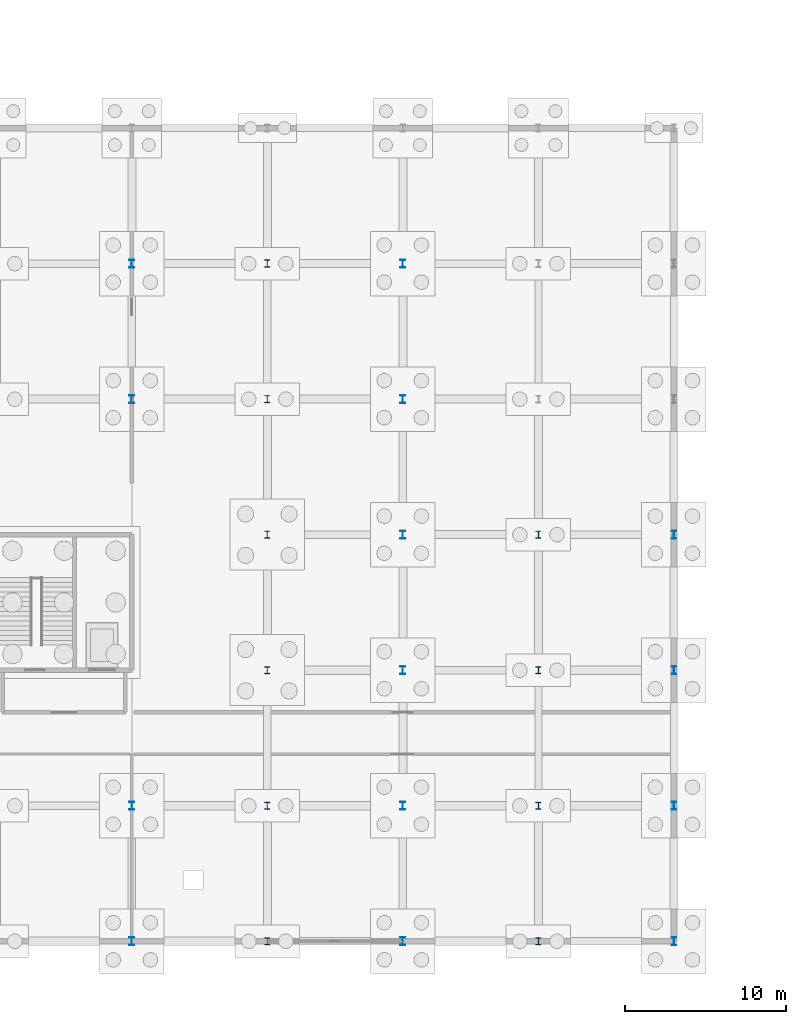
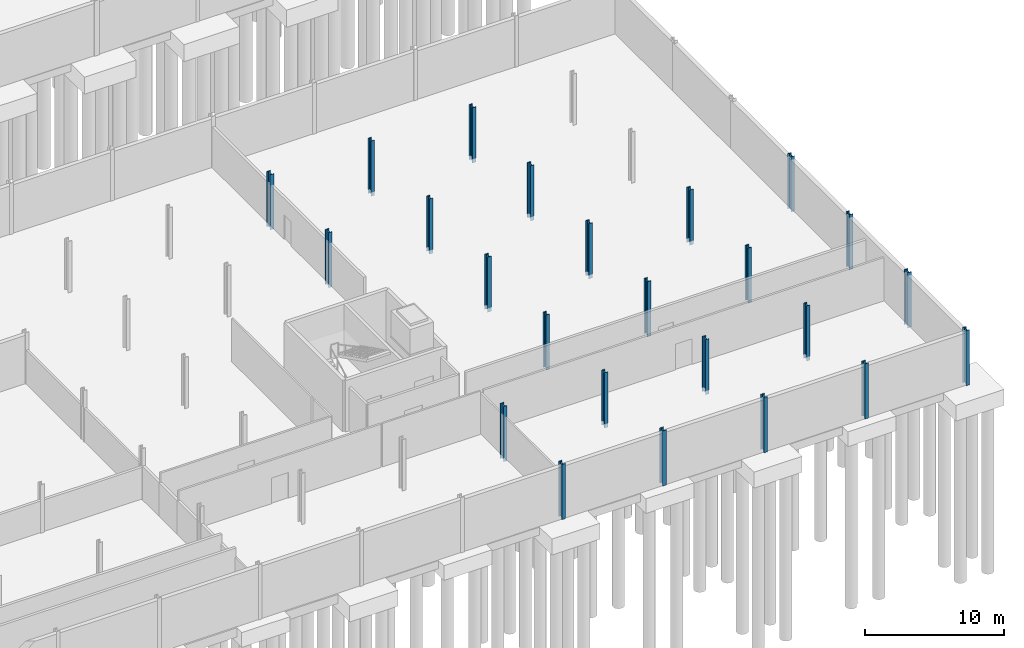
# One storey, part 26 of 51: 24 columns.
"""IFC4 building model written with IfcOpenShell, lengths in metres."""

from ifc_helpers import new_model, si_unit, direction, frame, origin, origin_2d, place, context, subcontext, project, spatial, i_section, extrude, material, material_profile, profile_set, type_object, element, save


model = new_model("IFC4")

# Units and contexts
model_context = context("Model", 3, precision=1e-05, world=origin(), true_north=direction((0.0, 1.0)))
body_context = subcontext(model_context, "Body", "Model", "MODEL_VIEW")
ifc_project = project(units=[si_unit("LENGTHUNIT", "METRE"), si_unit("AREAUNIT", "SQUARE_METRE"), si_unit("VOLUMEUNIT", "CUBIC_METRE"), si_unit("PLANEANGLEUNIT", "RADIAN"), si_unit("MASSUNIT", "GRAM", prefix="KILO")], contexts=[model_context])

# Site, building, storey
site_placement = place(None, origin())
site = spatial("IfcSite", under=ifc_project, at=site_placement, CompositionType="ELEMENT")
building_placement = place(site_placement, origin())
building = spatial("IfcBuilding", under=site, at=building_placement, Name="Qalvenar Corner Mobility Hub", CompositionType="ELEMENT")
storey_placement = place(building_placement, frame((0.0, 0.0, -4.5)))
storey = spatial("IfcBuildingStorey", under=building, at=storey_placement, Name="B1", CompositionType="ELEMENT", Elevation=-4.5)

# Columns
ifc_material = material(Name="Steel S355", Category="steel")
ifc_material_profile_1 = material_profile(ifc_material, i_section(OverallWidth=0.300048828125, OverallDepth=0.449951171875, WebThickness=0.013916015625, FlangeThickness=0.02587890625, FilletRadius=0.027099609375, at=origin_2d()), Name="HEB450")
ifc_profile_set_1 = profile_set([ifc_material_profile_1], Name="Steel S355")
column_type_1 = type_object("IfcColumnType", Name="COL-HEB450", PredefinedType="COLUMN", material=ifc_profile_set_1)
for number, where, z_axis, x_axis, name in (
    (1, (142.800048828125, 0.0, -0.35009765625), (0.0, 0.0, 1.0), (1.0, 0.0, 0.0), "Steel Column B1-G18-0"),
    (2, (142.800048828125, 8.39990234375, -0.35009765625), (0.0, 0.0, 1.0), (1.0, 0.0, 0.0), "Steel Column B1-G18-1"),
    (3, (142.800048828125, 16.800048828125, -0.35009765625), (0.0, 0.0, 1.0), (1.0, 0.0, 0.0), "Steel Column B1-G18-2"),
    (4, (142.800048828125, 25.199951171875, -0.35009765625), (0.0, 0.0, 1.0), (1.0, 0.0, 0.0), "Steel Column B1-G18-3"),
    (5, (142.800048828125, 33.60009765625, -0.35009765625), (0.0, 0.0, 1.0), (1.0, 0.0, 0.0), "Steel Column B1-G18-4"),
    (6, (142.800048828125, 42.0, -0.35009765625), (0.0, 0.0, 1.0), (1.0, 0.0, 0.0), "Steel Column B1-G18-5"),
    (7, (159.60009765625, 0.0, -0.35009765625), (0.0, 0.0, 1.0), (1.0, 0.0, 0.0), "Steel Column B1-G20-0"),
    (8, (159.60009765625, 8.39990234375, -0.35009765625), (0.0, 0.0, 1.0), (1.0, 0.0, 0.0), "Steel Column B1-G20-1"),
    (9, (159.60009765625, 16.800048828125, -0.35009765625), (0.0, 0.0, 1.0), (1.0, 0.0, 0.0), "Steel Column B1-G20-2"),
    (10, (159.60009765625, 25.199951171875, -0.35009765625), (0.0, 0.0, 1.0), (1.0, 0.0, 0.0), "Steel Column B1-G20-3"),
):
    element("IfcColumn", number, at=place(storey_placement, frame(where, z_axis=z_axis, x_axis=x_axis)), inside=storey, type_object=column_type_1, Name=name, PredefinedType="COLUMN", context=body_context, shape_type="SweptSolid", body=[
        extrude(i_section(OverallWidth=0.300048828125, OverallDepth=0.449951171875, WebThickness=0.013916015625, FlangeThickness=0.02587890625, FilletRadius=0.027099609375, at=origin_2d()), origin(), (0.0, 0.0, 1.0), 4.85009765625),
    ])
ifc_material_profile_2 = material_profile(ifc_material, i_section(OverallWidth=0.300048828125, OverallDepth=0.5, WebThickness=0.014404296875, FlangeThickness=0.028076171875, FilletRadius=0.027099609375, at=origin_2d()), Name="HEB500")
ifc_profile_set_2 = profile_set([ifc_material_profile_2], Name="Steel S355")
column_type_2 = type_object("IfcColumnType", Name="COL-HEB500", PredefinedType="COLUMN", material=ifc_profile_set_2)
for number, where, z_axis, x_axis, name in (
    (11, (134.39990234375, 0.0, -0.35009765625), (0.0, 0.0, 1.0), (1.0, 0.0, 0.0), "Steel Column B1-G17-0"),
    (12, (134.39990234375, 8.39990234375, -0.35009765625), (0.0, 0.0, 1.0), (1.0, 0.0, 0.0), "Steel Column B1-G17-1"),
    (13, (134.39990234375, 33.60009765625, -0.35009765625), (0.0, 0.0, 1.0), (1.0, 0.0, 0.0), "Steel Column B1-G17-4"),
    (14, (134.39990234375, 42.0, -0.35009765625), (0.0, 0.0, 1.0), (1.0, 0.0, 0.0), "Steel Column B1-G17-5"),
    (15, (151.199951171875, 0.0, -0.35009765625), (0.0, 0.0, 1.0), (1.0, 0.0, 0.0), "Steel Column B1-G19-0"),
    (16, (151.199951171875, 8.39990234375, -0.35009765625), (0.0, 0.0, 1.0), (1.0, 0.0, 0.0), "Steel Column B1-G19-1"),
    (17, (151.199951171875, 16.800048828125, -0.35009765625), (0.0, 0.0, 1.0), (1.0, 0.0, 0.0), "Steel Column B1-G19-2"),
    (18, (151.199951171875, 25.199951171875, -0.35009765625), (0.0, 0.0, 1.0), (1.0, 0.0, 0.0), "Steel Column B1-G19-3"),
    (19, (151.199951171875, 33.60009765625, -0.35009765625), (0.0, 0.0, 1.0), (1.0, 0.0, 0.0), "Steel Column B1-G19-4"),
    (20, (151.199951171875, 42.0, -0.35009765625), (0.0, 0.0, 1.0), (1.0, 0.0, 0.0), "Steel Column B1-G19-5"),
    (21, (168.0, 0.0, -0.35009765625), (0.0, 0.0, 1.0), (1.0, 0.0, 0.0), "Steel Column B1-G21-0"),
    (22, (168.0, 8.39990234375, -0.35009765625), (0.0, 0.0, 1.0), (1.0, 0.0, 0.0), "Steel Column B1-G21-1"),
    (23, (168.0, 16.800048828125, -0.35009765625), (0.0, 0.0, 1.0), (1.0, 0.0, 0.0), "Steel Column B1-G21-2"),
    (24, (168.0, 25.199951171875, -0.35009765625), (0.0, 0.0, 1.0), (1.0, 0.0, 0.0), "Steel Column B1-G21-3"),
):
    element("IfcColumn", number, at=place(storey_placement, frame(where, z_axis=z_axis, x_axis=x_axis)), inside=storey, type_object=column_type_2, Name=name, PredefinedType="COLUMN", context=body_context, shape_type="SweptSolid", body=[
        extrude(i_section(OverallWidth=0.300048828125, OverallDepth=0.5, WebThickness=0.014404296875, FlangeThickness=0.028076171875, FilletRadius=0.027099609375, at=origin_2d()), origin(), (0.0, 0.0, 1.0), 4.85009765625),
    ])

save(model, "model.ifc")
